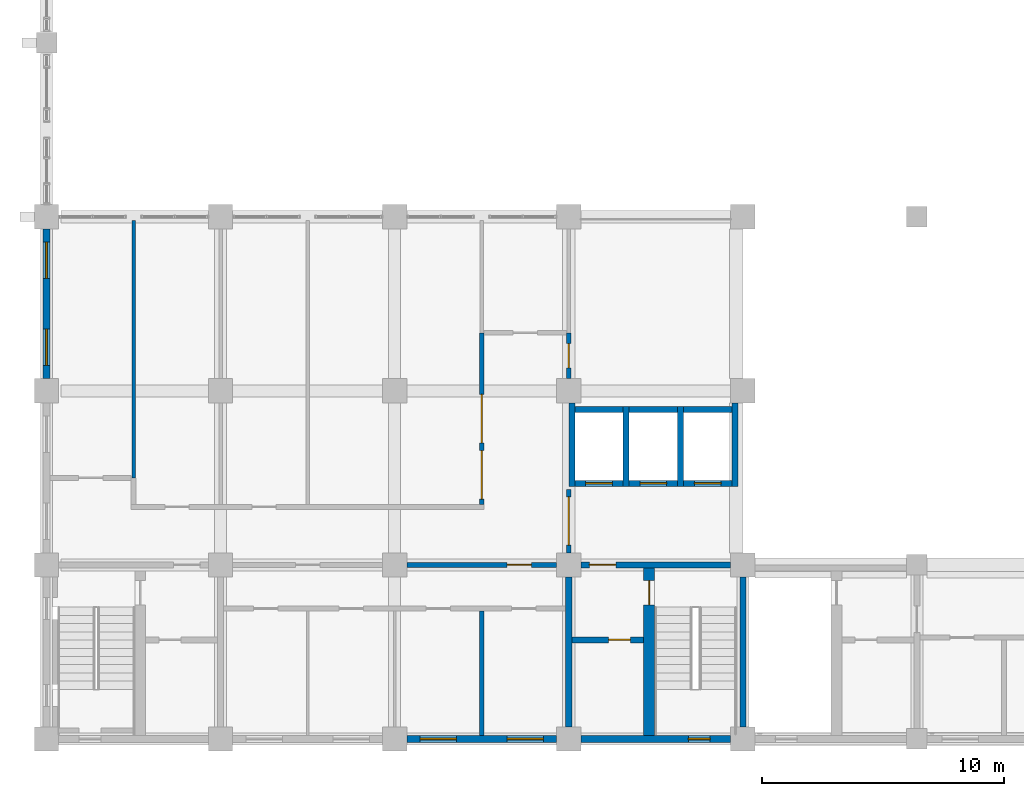
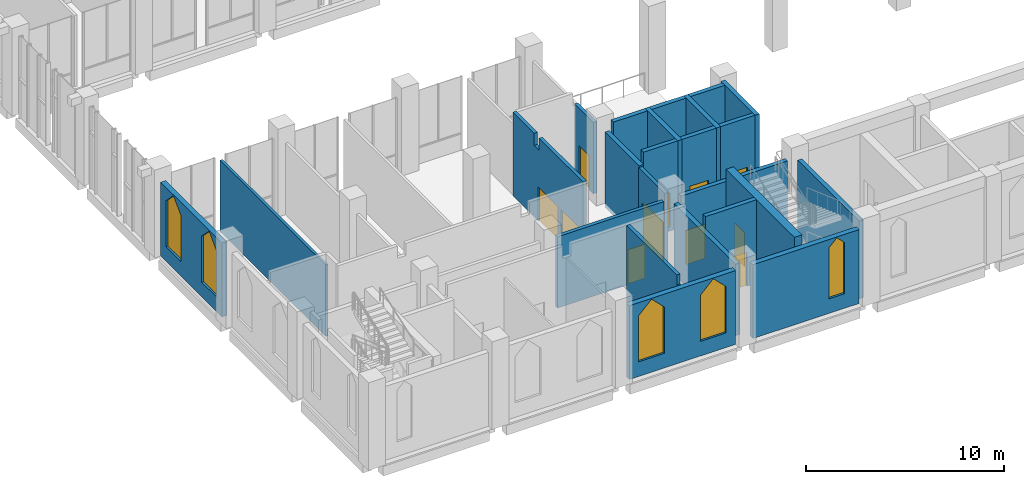
# One storey, part 28 of 48: 24 walls, 11 doors, 5 windows, 16 openings.
"""IFC4 building model written with IfcOpenShell, lengths in metres."""

from ifc_helpers import new_model, si_unit, direction, frame, frame_2d, origin, place, context, subcontext, project, spatial, polyline, rectangle, outline, extrude, material, layer, layer_set, type_object, element, fill, save


model = new_model("IFC4")

# Units and contexts
model_context = context("Model", 3, precision=1e-05, world=origin(), true_north=direction((0.0, 1.0)))
body_context = subcontext(model_context, "Body", "Model", "MODEL_VIEW")
ifc_project = project(units=[si_unit("LENGTHUNIT", "METRE"), si_unit("AREAUNIT", "SQUARE_METRE"), si_unit("VOLUMEUNIT", "CUBIC_METRE"), si_unit("PLANEANGLEUNIT", "RADIAN"), si_unit("MASSUNIT", "GRAM", prefix="KILO")], contexts=[model_context])

# Site, building, storey
site_placement = place(None, origin())
site = spatial("IfcSite", under=ifc_project, at=site_placement, CompositionType="ELEMENT")
building_placement = place(site_placement, origin())
building = spatial("IfcBuilding", under=site, at=building_placement, Name="Silangan Lancet Faculty of Sciences", CompositionType="ELEMENT")
storey_placement = place(building_placement, frame((0.0, 0.0, 6.0)))
storey = spatial("IfcBuildingStorey", under=building, at=storey_placement, Name="L01", CompositionType="ELEMENT", Elevation=6.0)

# Wall, opening, window
ifc_material_1 = material(Name="Concrete C40/50 precast", Category="concrete")
ifc_layer_1 = layer(ifc_material_1, 0.300048828125)
ifc_layer_set_1 = layer_set([ifc_layer_1], Name="Concrete C40/50 precast")
wall_type_1 = type_object("IfcWallType", Name="EW2 Turret enclosure wall", PredefinedType="STANDARD", material=ifc_layer_set_1)
wall_1_placement = place(storey_placement, frame((22.10009765625, 0.0, 0.0), z_axis=(0.0, 0.0, 1.0), x_axis=(1.0, 0.0, 0.0)))
wall_1 = element("IfcWall", 1, at=wall_1_placement, inside=storey, type_object=wall_type_1, Name="EW-L01-S-ST-03", PredefinedType="STANDARD", context=body_context, shape_type="SweptSolid", body=[
    extrude(rectangle(XDim=6.199951171875, YDim=0.300048828125, at=frame_2d((3.10009765625, 0.0))), origin(), (0.0, 0.0, 1.0), 4.550048828125),
])
opening_1_placement = place(wall_1_placement, frame((4.449951171875, 0.0, 0.89990234375)))
opening_1 = element("IfcOpeningElement", 2, at=opening_1_placement, cuts=wall_1, Name="Opening W5", PredefinedType="OPENING", context=body_context, shape_type="SweptSolid", body=[
    extrude(outline(polyline([(0.0, 0.0), (0.89990234375, 0.0), (0.89990234375, 3.150146484375), (0.449951171875, 3.60009765625), (0.0, 3.150146484375), (0.0, 0.0)])), frame((0.0, 0.159912109375, 0.0), z_axis=(0.0, -1.0, 0.0), x_axis=(1.0, 0.0, 0.0)), (0.0, 0.0, 1.0), 0.320068359375),
])
ifc_material_2 = material(Name="Aluminium frame, laminated double glazing", Category="aluminium")
window_type_1 = type_object("IfcWindowType", Name="W5 Lancet window 900 x 3600", PartitioningType="SINGLE_PANEL", PredefinedType="WINDOW", material=ifc_material_2)
window_1_placement = place(opening_1_placement, origin())
window_1 = element("IfcWindow", 3, at=window_1_placement, inside=storey, type_object=window_type_1, Name="WIN-L01-S-ST-03b", OverallHeight=3.60009765625, OverallWidth=0.89990234375, PartitioningType="SINGLE_PANEL", PredefinedType="WINDOW", context=body_context, shape_type="SweptSolid", body=[
    extrude(outline(polyline([(0.0, 0.0), (0.89990234375, 0.0), (0.89990234375, 3.150146484375), (0.449951171875, 3.60009765625), (0.0, 3.150146484375), (0.0, 0.0)])), frame((0.0, 0.030029296875, 0.0), z_axis=(0.0, -1.0, 0.0), x_axis=(1.0, 0.0, 0.0)), (0.0, 0.0, 1.0), 0.06005859375),
])
fill(opening_1, window_1)

# Wall, openings, windows
ifc_material_3 = material(Name="Concrete C40/50", Category="concrete")
ifc_layer_2 = layer(ifc_material_3, 0.300048828125)
ifc_layer_set_2 = layer_set([ifc_layer_2], Name="Concrete C40/50")
wall_type_2 = type_object("IfcWallType", Name="EW6 Stone-faced base wall", PredefinedType="STANDARD", material=ifc_layer_set_2)
wall_2_placement = place(storey_placement, frame((0.0, 14.89990234375, 0.0), z_axis=(0.0, 0.0, 1.0), x_axis=(0.0, 1.0, 0.0)))
wall_2 = element("IfcWall", 4, at=wall_2_placement, inside=storey, type_object=wall_type_2, Name="EW-L01-W-ST-02", PredefinedType="STANDARD", context=body_context, shape_type="SweptSolid", body=[
    extrude(rectangle(XDim=6.2001953125, YDim=0.300048828125, at=frame_2d((3.10009765625, 0.0))), origin(), (0.0, 0.0, 1.0), 4.550048828125),
])
opening_2_placement = place(wall_2_placement, frame((0.550048828125, 0.0, 0.89990234375)))
opening_2 = element("IfcOpeningElement", 5, at=opening_2_placement, cuts=wall_2, Name="Opening W6", PredefinedType="OPENING", context=body_context, shape_type="SweptSolid", body=[
    extrude(outline(polyline([(0.0, 0.0), (1.5, 0.0), (1.5, 2.85009765625), (0.75, 3.60009765625), (0.0, 2.85009765625), (0.0, 0.0)])), frame((0.0, 0.159912109375, 0.0), z_axis=(0.0, -1.0, 0.0), x_axis=(1.0, 0.0, 0.0)), (0.0, 0.0, 1.0), 0.320068359375),
])
opening_3_placement = place(wall_2_placement, frame((4.14990234375, 0.0, 0.89990234375)))
opening_3 = element("IfcOpeningElement", 6, at=opening_3_placement, cuts=wall_2, Name="Opening W6", PredefinedType="OPENING", context=body_context, shape_type="SweptSolid", body=[
    extrude(outline(polyline([(0.0, 0.0), (1.5, 0.0), (1.5, 2.85009765625), (0.75, 3.60009765625), (0.0, 2.85009765625), (0.0, 0.0)])), frame((0.0, 0.159912109375, 0.0), z_axis=(0.0, -1.0, 0.0), x_axis=(1.0, 0.0, 0.0)), (0.0, 0.0, 1.0), 0.320068359375),
])
ifc_material_4 = material(Name="Aluminium frame, laminated double glazing", Category="aluminium")
window_type_2 = type_object("IfcWindowType", Name="W6 Lancet window 1500 x 3600", PartitioningType="SINGLE_PANEL", PredefinedType="WINDOW", material=ifc_material_4)
window_2_placement = place(opening_2_placement, origin())
window_2 = element("IfcWindow", 7, at=window_2_placement, inside=storey, type_object=window_type_2, Name="WIN-L01-W-ST-02a", OverallHeight=3.60009765625, OverallWidth=1.5, PartitioningType="SINGLE_PANEL", PredefinedType="WINDOW", context=body_context, shape_type="SweptSolid", body=[
    extrude(outline(polyline([(0.0, 0.0), (1.5, 0.0), (1.5, 2.85009765625), (0.75, 3.60009765625), (0.0, 2.85009765625), (0.0, 0.0)])), frame((0.0, 0.030029296875, 0.0), z_axis=(0.0, -1.0, 0.0), x_axis=(1.0, 0.0, 0.0)), (0.0, 0.0, 1.0), 0.06005859375),
])
fill(opening_2, window_2)
window_3_placement = place(opening_3_placement, origin())
window_3 = element("IfcWindow", 8, at=window_3_placement, inside=storey, type_object=window_type_2, Name="WIN-L01-W-ST-02b", OverallHeight=3.60009765625, OverallWidth=1.5, PartitioningType="SINGLE_PANEL", PredefinedType="WINDOW", context=body_context, shape_type="SweptSolid", body=[
    extrude(outline(polyline([(0.0, 0.0), (1.5, 0.0), (1.5, 2.85009765625), (0.75, 3.60009765625), (0.0, 2.85009765625), (0.0, 0.0)])), frame((0.0, 0.030029296875, 0.0), z_axis=(0.0, -1.0, 0.0), x_axis=(1.0, 0.0, 0.0)), (0.0, 0.0, 1.0), 0.06005859375),
])
fill(opening_3, window_3)

wall_3_placement = place(storey_placement, frame((14.89990234375, 0.0, 0.0), z_axis=(0.0, 0.0, 1.0), x_axis=(1.0, 0.0, 0.0)))
wall_3 = element("IfcWall", 9, at=wall_3_placement, inside=storey, type_object=wall_type_2, Name="EW-L01-S-ST-02", PredefinedType="STANDARD", context=body_context, shape_type="SweptSolid", body=[
    extrude(rectangle(XDim=6.2001953125, YDim=0.300048828125, at=frame_2d((3.10009765625, 0.0))), origin(), (0.0, 0.0, 1.0), 4.550048828125),
])
opening_4_placement = place(wall_3_placement, frame((0.550048828125, 0.0, 0.89990234375)))
opening_4 = element("IfcOpeningElement", 10, at=opening_4_placement, cuts=wall_3, Name="Opening W6", PredefinedType="OPENING", context=body_context, shape_type="SweptSolid", body=[
    extrude(outline(polyline([(0.0, 0.0), (1.5, 0.0), (1.5, 2.85009765625), (0.75, 3.60009765625), (0.0, 2.85009765625), (0.0, 0.0)])), frame((0.0, 0.159912109375, 0.0), z_axis=(0.0, -1.0, 0.0), x_axis=(1.0, 0.0, 0.0)), (0.0, 0.0, 1.0), 0.320068359375),
])
opening_5_placement = place(wall_3_placement, frame((4.14990234375, 0.0, 0.89990234375)))
opening_5 = element("IfcOpeningElement", 11, at=opening_5_placement, cuts=wall_3, Name="Opening W6", PredefinedType="OPENING", context=body_context, shape_type="SweptSolid", body=[
    extrude(outline(polyline([(0.0, 0.0), (1.5, 0.0), (1.5, 2.85009765625), (0.75, 3.60009765625), (0.0, 2.85009765625), (0.0, 0.0)])), frame((0.0, 0.159912109375, 0.0), z_axis=(0.0, -1.0, 0.0), x_axis=(1.0, 0.0, 0.0)), (0.0, 0.0, 1.0), 0.320068359375),
])
window_4_placement = place(opening_4_placement, origin())
window_4 = element("IfcWindow", 12, at=window_4_placement, inside=storey, type_object=window_type_2, Name="WIN-L01-S-ST-02a", OverallHeight=3.60009765625, OverallWidth=1.5, PartitioningType="SINGLE_PANEL", PredefinedType="WINDOW", context=body_context, shape_type="SweptSolid", body=[
    extrude(outline(polyline([(0.0, 0.0), (1.5, 0.0), (1.5, 2.85009765625), (0.75, 3.60009765625), (0.0, 2.85009765625), (0.0, 0.0)])), frame((0.0, 0.030029296875, 0.0), z_axis=(0.0, -1.0, 0.0), x_axis=(1.0, 0.0, 0.0)), (0.0, 0.0, 1.0), 0.06005859375),
])
fill(opening_4, window_4)
window_5_placement = place(opening_5_placement, origin())
window_5 = element("IfcWindow", 13, at=window_5_placement, inside=storey, type_object=window_type_2, Name="WIN-L01-S-ST-02b", OverallHeight=3.60009765625, OverallWidth=1.5, PartitioningType="SINGLE_PANEL", PredefinedType="WINDOW", context=body_context, shape_type="SweptSolid", body=[
    extrude(outline(polyline([(0.0, 0.0), (1.5, 0.0), (1.5, 2.85009765625), (0.75, 3.60009765625), (0.0, 2.85009765625), (0.0, 0.0)])), frame((0.0, 0.030029296875, 0.0), z_axis=(0.0, -1.0, 0.0), x_axis=(1.0, 0.0, 0.0)), (0.0, 0.0, 1.0), 0.06005859375),
])
fill(opening_5, window_5)

# Wall, opening, door
ifc_material_5 = material(Name="Hollow block masonry fm 7 MPa", Category="masonry")
ifc_layer_3 = layer(ifc_material_5, 0.199951171875)
ifc_layer_set_3 = layer_set([ifc_layer_3], Name="Hollow block masonry fm 7 MPa")
wall_type_3 = type_object("IfcWallType", Name="Interior wall PW1 Corridor wall CHB 200", PredefinedType="PARTITIONING", material=ifc_layer_set_3)
wall_4_placement = place(storey_placement, frame((14.89990234375, 7.199951171875, 0.0), z_axis=(0.0, 0.0, 1.0), x_axis=(1.0, 0.0, 0.0)))
wall_4 = element("IfcWall", 14, at=wall_4_placement, inside=storey, type_object=wall_type_3, Name="Corridor wall CHB 200", PredefinedType="PARTITIONING", context=body_context, shape_type="SweptSolid", body=[
    extrude(rectangle(XDim=6.2001953125, YDim=0.199951171875, at=frame_2d((3.10009765625, 0.0))), origin(), (0.0, 0.0, 1.0), 4.39990234375),
])
opening_6_placement = place(wall_4_placement, frame((4.150146484375, 0.0, 0.0)))
opening_6 = element("IfcOpeningElement", 15, at=opening_6_placement, cuts=wall_4, Name="Opening L01-003", PredefinedType="OPENING", context=body_context, shape_type="SweptSolid", body=[
    extrude(rectangle(XDim=1.0, YDim=2.10009765625, at=frame_2d((0.5, 1.050048828125))), frame((0.0, 0.10986328125, 0.0), z_axis=(0.0, -1.0, 0.0), x_axis=(1.0, 0.0, 0.0)), (0.0, 0.0, 1.0), 0.219970703125),
])
ifc_material_6 = material(Name="Steel fire door set", Category="steel")
door_type_1 = type_object("IfcDoorType", Name="Door D1 Single leaf fire door 1000 x 2100", OperationType="SINGLE_SWING_LEFT", PredefinedType="DOOR", material=ifc_material_6)
door_1_placement = place(opening_6_placement, frame((1.0, 0.0, 0.0), z_axis=(0.0, 0.0, 1.0), x_axis=(-1.0, 0.0, 0.0)))
door_1 = element("IfcDoor", 16, at=door_1_placement, inside=storey, type_object=door_type_1, Name="Single leaf fire door 1000 x 2100", OperationType="SINGLE_SWING_RIGHT", OverallHeight=2.10009765625, OverallWidth=1.0, PredefinedType="DOOR", context=body_context, shape_type="SweptSolid", body=[
    extrude(rectangle(XDim=1.0, YDim=2.10009765625, at=frame_2d((0.5, 1.050048828125))), frame((0.0, 0.025146484375, 0.0), z_axis=(0.0, -1.0, 0.0), x_axis=(1.0, 0.0, 0.0)), (0.0, 0.0, 1.0), 0.050048828125),
])
fill(opening_6, door_1)

# Wall, openings, doors
wall_5_placement = place(storey_placement, frame((18.0, 9.699951171875, 0.0), z_axis=(0.0, 0.0, 1.0), x_axis=(0.0, 1.0, 0.0)))
wall_5 = element("IfcWall", 17, at=wall_5_placement, inside=storey, type_object=wall_type_3, Name="Corridor wall CHB 200", PredefinedType="PARTITIONING", context=body_context, shape_type="SweptSolid", body=[
    extrude(outline(polyline([(0.0, 0.0), (7.10009765625, 0.0), (7.10009765625, 5.14990234375), (4.949951171875, 5.14990234375), (4.949951171875, 4.39990234375), (4.449951171875, 4.39990234375), (4.449951171875, 5.14990234375), (0.0, 5.14990234375), (0.0, 0.0)])), frame((0.0, 0.10009765625, 0.0), z_axis=(0.0, -1.0, 0.0), x_axis=(1.0, 0.0, 0.0)), (0.0, 0.0, 1.0), 0.199951171875),
])
opening_7_placement = place(wall_5_placement, frame((2.550048828125, 0.0, 0.0)))
opening_7 = element("IfcOpeningElement", 18, at=opening_7_placement, cuts=wall_5, Name="Opening L01-018", PredefinedType="OPENING", context=body_context, shape_type="SweptSolid", body=[
    extrude(rectangle(XDim=2.0, YDim=2.10009765625, at=frame_2d((1.0, 1.050048828125))), frame((0.0, 0.10986328125, 0.0), z_axis=(0.0, -1.0, 0.0), x_axis=(1.0, 0.0, 0.0)), (0.0, 0.0, 1.0), 0.219970703125),
])
opening_8_placement = place(wall_5_placement, frame((0.22509765625, 0.0, 0.0)))
opening_8 = element("IfcOpeningElement", 19, at=opening_8_placement, cuts=wall_5, Name="Opening L01-019", PredefinedType="OPENING", context=body_context, shape_type="SweptSolid", body=[
    extrude(rectangle(XDim=2.0, YDim=2.10009765625, at=frame_2d((1.0, 1.050048828125))), frame((0.0, 0.10986328125, 0.0), z_axis=(0.0, -1.0, 0.0), x_axis=(1.0, 0.0, 0.0)), (0.0, 0.0, 1.0), 0.219970703125),
])
ifc_material_7 = material(Name="Steel fire door set", Category="steel")
door_type_2 = type_object("IfcDoorType", Name="Door D4 Double leaf fire door 2000 x 2100", OperationType="DOUBLE_DOOR_SINGLE_SWING", PredefinedType="DOOR", material=ifc_material_7)
door_2_placement = place(opening_7_placement, origin())
door_2 = element("IfcDoor", 20, at=door_2_placement, inside=storey, type_object=door_type_2, Name="Double leaf fire door 2000 x 2100", OperationType="DOUBLE_DOOR_SINGLE_SWING", OverallHeight=2.10009765625, OverallWidth=2.0, PredefinedType="DOOR", context=body_context, shape_type="SweptSolid", body=[
    extrude(rectangle(XDim=2.0, YDim=2.10009765625, at=frame_2d((1.0, 1.050048828125))), frame((0.0, 0.02490234375, 0.0), z_axis=(0.0, -1.0, 0.0), x_axis=(1.0, 0.0, 0.0)), (0.0, 0.0, 1.0), 0.050048828125),
])
fill(opening_7, door_2)
door_3_placement = place(opening_8_placement, origin())
door_3 = element("IfcDoor", 21, at=door_3_placement, inside=storey, type_object=door_type_2, Name="Double leaf fire door 2000 x 2100", OperationType="DOUBLE_DOOR_SINGLE_SWING", OverallHeight=2.10009765625, OverallWidth=2.0, PredefinedType="DOOR", context=body_context, shape_type="SweptSolid", body=[
    extrude(rectangle(XDim=2.0, YDim=2.10009765625, at=frame_2d((1.0, 1.050048828125))), frame((0.0, 0.02490234375, 0.0), z_axis=(0.0, -1.0, 0.0), x_axis=(1.0, 0.0, 0.0)), (0.0, 0.0, 1.0), 0.050048828125),
])
fill(opening_8, door_3)

# Wall, opening, door
wall_6_placement = place(storey_placement, frame((21.60009765625, 14.89990234375, 0.0), z_axis=(0.0, 0.0, 1.0), x_axis=(0.0, 1.0, 0.0)))
wall_6 = element("IfcWall", 22, at=wall_6_placement, inside=storey, type_object=wall_type_3, Name="Corridor wall CHB 200", PredefinedType="PARTITIONING", context=body_context, shape_type="SweptSolid", body=[
    extrude(rectangle(XDim=1.900146484375, YDim=0.199951171875, at=frame_2d((0.9501953125, 0.0))), origin(), (0.0, 0.0, 1.0), 4.39990234375),
])
opening_9_placement = place(wall_6_placement, frame((0.4501953125, 0.0, 0.0)))
opening_9 = element("IfcOpeningElement", 23, at=opening_9_placement, cuts=wall_6, Name="Opening L01-014", PredefinedType="OPENING", context=body_context, shape_type="SweptSolid", body=[
    extrude(rectangle(XDim=1.0, YDim=2.10009765625, at=frame_2d((0.5, 1.050048828125))), frame((0.0, 0.10986328125, 0.0), z_axis=(0.0, -1.0, 0.0), x_axis=(1.0, 0.0, 0.0)), (0.0, 0.0, 1.0), 0.219970703125),
])
door_4_placement = place(opening_9_placement, frame((1.0, 0.0, 0.0), z_axis=(0.0, 0.0, 1.0), x_axis=(-1.0, 0.0, 0.0)))
door_4 = element("IfcDoor", 24, at=door_4_placement, inside=storey, type_object=door_type_1, Name="Single leaf fire door 1000 x 2100", OperationType="SINGLE_SWING_LEFT", OverallHeight=2.10009765625, OverallWidth=1.0, PredefinedType="DOOR", context=body_context, shape_type="SweptSolid", body=[
    extrude(rectangle(XDim=1.0, YDim=2.10009765625, at=frame_2d((0.5, 1.050048828125))), frame((0.0, 0.025146484375, 0.0), z_axis=(0.0, -1.0, 0.0), x_axis=(1.0, 0.0, 0.0)), (0.0, 0.0, 1.0), 0.050048828125),
])
fill(opening_9, door_4)

# Walls
ifc_material_8 = material(Name="Hollow block masonry fm 7 MPa", Category="masonry")
ifc_layer_4 = layer(ifc_material_8, 0.14990234375)
ifc_layer_set_4 = layer_set([ifc_layer_4], Name="Hollow block masonry fm 7 MPa")
wall_type_4 = type_object("IfcWallType", Name="Interior wall PW3 Partition CHB 150", PredefinedType="PARTITIONING", material=ifc_layer_set_4)
wall_7_placement = place(storey_placement, frame((3.60009765625, 10.800048828125, 0.0), z_axis=(0.0, 0.0, 1.0), x_axis=(0.0, 1.0, 0.0)))
element("IfcWall", 25, at=wall_7_placement, inside=storey, type_object=wall_type_4, Name="Partition CHB 150", PredefinedType="PARTITIONING", context=body_context, shape_type="SweptSolid", body=[
    extrude(rectangle(XDim=10.64990234375, YDim=0.14990234375, at=frame_2d((5.324951171875, 0.0))), origin(), (0.0, 0.0, 1.0), 4.39990234375),
])
ifc_material_9 = material(Name="Hollow block masonry fm 7 MPa", Category="masonry")
ifc_layer_5 = layer(ifc_material_9, 0.199951171875)
ifc_layer_set_5 = layer_set([ifc_layer_5], Name="Hollow block masonry fm 7 MPa")
wall_type_5 = type_object("IfcWallType", Name="Interior wall PW4 Laboratory separation CHB 200", PredefinedType="PARTITIONING", material=ifc_layer_set_5)
wall_8_placement = place(storey_placement, frame((18.0, 0.14990234375, 0.0), z_axis=(0.0, 0.0, 1.0), x_axis=(0.0, 1.0, 0.0)))
element("IfcWall", 26, at=wall_8_placement, inside=storey, type_object=wall_type_5, Name="Laboratory separation CHB 200", PredefinedType="PARTITIONING", context=body_context, shape_type="SweptSolid", body=[
    extrude(outline(polyline([(0.0, 0.0), (5.150146484375, 0.0), (5.150146484375, 5.14990234375), (0.10009765625, 5.14990234375), (0.10009765625, 4.550048828125), (0.0, 4.550048828125), (0.0, 0.0)])), frame((0.0, 0.10009765625, 0.0), z_axis=(0.0, -1.0, 0.0), x_axis=(1.0, 0.0, 0.0)), (0.0, 0.0, 1.0), 0.199951171875),
])

# Wall, opening, door
ifc_material_10 = material(Name="Hollow block masonry fm 7 MPa", Category="masonry")
ifc_layer_6 = layer(ifc_material_10, 0.199951171875)
ifc_layer_set_6 = layer_set([ifc_layer_6], Name="Hollow block masonry fm 7 MPa")
wall_type_6 = type_object("IfcWallType", Name="Interior wall PW9 Lift lobby wall CHB 200", PredefinedType="PARTITIONING", material=ifc_layer_set_6)
wall_9_placement = place(storey_placement, frame((21.60009765625, 7.699951171875, 0.0), z_axis=(0.0, 0.0, 1.0), x_axis=(0.0, 1.0, 0.0)))
wall_9 = element("IfcWall", 27, at=wall_9_placement, inside=storey, type_object=wall_type_6, Name="Lift lobby wall CHB 200", PredefinedType="PARTITIONING", context=body_context, shape_type="SweptSolid", body=[
    extrude(rectangle(XDim=2.625, YDim=0.199951171875, at=frame_2d((1.3125, 0.0))), origin(), (0.0, 0.0, 1.0), 4.39990234375),
])
opening_10_placement = place(wall_9_placement, frame((0.3125, 0.0, 0.0)))
opening_10 = element("IfcOpeningElement", 28, at=opening_10_placement, cuts=wall_9, Name="Opening L01-001", PredefinedType="OPENING", context=body_context, shape_type="SweptSolid", body=[
    extrude(rectangle(XDim=2.0, YDim=2.39990234375, at=frame_2d((1.0, 1.199951171875))), frame((0.0, 0.10986328125, 0.0), z_axis=(0.0, -1.0, 0.0), x_axis=(1.0, 0.0, 0.0)), (0.0, 0.0, 1.0), 0.219970703125),
])
ifc_material_11 = material(Name="Steel fire door set", Category="steel")
door_type_3 = type_object("IfcDoorType", Name="Door D5 Lift lobby double fire door 2000 x 2400", OperationType="DOUBLE_DOOR_SINGLE_SWING", PredefinedType="DOOR", material=ifc_material_11)
door_5_placement = place(opening_10_placement, origin())
door_5 = element("IfcDoor", 29, at=door_5_placement, inside=storey, type_object=door_type_3, Name="Lift lobby double fire door 2000 x 2400", OperationType="DOUBLE_DOOR_SINGLE_SWING", OverallHeight=2.39990234375, OverallWidth=2.0, PredefinedType="DOOR", context=body_context, shape_type="SweptSolid", body=[
    extrude(rectangle(XDim=2.0, YDim=2.39990234375, at=frame_2d((1.0, 1.199951171875))), frame((0.0, 0.02490234375, 0.0), z_axis=(0.0, -1.0, 0.0), x_axis=(1.0, 0.0, 0.0)), (0.0, 0.0, 1.0), 0.050048828125),
])
fill(opening_10, door_5)

# Walls
ifc_material_12 = material(Name="Concrete C40/50", Category="concrete")
ifc_layer_7 = layer(ifc_material_12, 0.25)
ifc_layer_set_7 = layer_set([ifc_layer_7], Name="Concrete C40/50")
wall_type_7 = type_object("IfcWallType", Name="LIFT SHAFT WALL RC 250", PredefinedType="SHEAR", material=ifc_layer_set_7)
wall_10_placement = place(storey_placement, frame((21.72509765625, 10.449951171875, -0.25), z_axis=(0.0, 0.0, 1.0), x_axis=(0.0, 1.0, 0.0)))
element("IfcWall", 30, at=wall_10_placement, inside=storey, type_object=wall_type_7, Name="WALL-L01-ST-SW1", PredefinedType="SHEAR", context=body_context, shape_type="SweptSolid", body=[
    extrude(rectangle(XDim=3.449951171875, YDim=0.25, at=frame_2d((1.72509765625, 0.0))), origin(), (0.0, 0.0, 1.0), 4.64990234375),
])
for number, where, z_axis, x_axis, name in (
    (31, (23.97509765625, 10.449951171875, -0.25), (0.0, 0.0, 1.0), (0.0, 1.0, 0.0), "WALL-L01-ST-SW2"),
    (32, (26.22509765625, 10.449951171875, -0.25), (0.0, 0.0, 1.0), (0.0, 1.0, 0.0), "WALL-L01-ST-SW3"),
):
    element("IfcWall", number, at=place(storey_placement, frame(where, z_axis=z_axis, x_axis=x_axis)), inside=storey, type_object=wall_type_7, Name=name, PredefinedType="SHEAR", context=body_context, shape_type="SweptSolid", body=[
        extrude(rectangle(XDim=3.300048828125, YDim=0.25, at=frame_2d((1.64990234375, 0.0))), origin(), (0.0, 0.0, 1.0), 5.39990234375),
    ])
wall_11_placement = place(storey_placement, frame((28.47509765625, 10.449951171875, -0.25), z_axis=(0.0, 0.0, 1.0), x_axis=(0.0, 1.0, 0.0)))
element("IfcWall", 33, at=wall_11_placement, inside=storey, type_object=wall_type_7, Name="WALL-L01-ST-SW4", PredefinedType="SHEAR", context=body_context, shape_type="SweptSolid", body=[
    extrude(rectangle(XDim=3.449951171875, YDim=0.25, at=frame_2d((1.72509765625, 0.0))), origin(), (0.0, 0.0, 1.0), 5.39990234375),
])

# Wall, opening, door
wall_12_placement = place(storey_placement, frame((21.85009765625, 10.574951171875, -0.25), z_axis=(0.0, 0.0, 1.0), x_axis=(1.0, 0.0, 0.0)))
wall_12 = element("IfcWall", 34, at=wall_12_placement, inside=storey, type_object=wall_type_7, Name="WALL-L01-ST-L1-F", PredefinedType="SHEAR", context=body_context, shape_type="SweptSolid", body=[
    extrude(rectangle(XDim=2.0, YDim=0.25, at=frame_2d((1.0, 0.0))), origin(), (0.0, 0.0, 1.0), 5.39990234375),
])
opening_11_placement = place(wall_12_placement, frame((0.449951171875, 0.0, 0.25)))
opening_11 = element("IfcOpeningElement", 35, at=opening_11_placement, cuts=wall_12, Name="Opening L01-807", PredefinedType="OPENING", context=body_context, shape_type="SweptSolid", body=[
    extrude(rectangle(XDim=1.10009765625, YDim=2.10009765625, at=frame_2d((0.550048828125, 1.050048828125))), frame((0.0, 0.135009765625, 0.0), z_axis=(0.0, -1.0, 0.0), x_axis=(1.0, 0.0, 0.0)), (0.0, 0.0, 1.0), 0.27001953125),
])
ifc_material_13 = material(Name="Stainless steel sliding door", Category="steel")
door_type_4 = type_object("IfcDoorType", Name="LD1 Lift landing door 1100x2100", OperationType="SLIDING_TO_LEFT", PredefinedType="DOOR", material=ifc_material_13)
door_6_placement = place(opening_11_placement, origin())
door_6 = element("IfcDoor", 36, at=door_6_placement, inside=storey, type_object=door_type_4, Name="Landing door ST-L1 L01", OperationType="SLIDING_TO_LEFT", OverallHeight=2.10009765625, OverallWidth=1.10009765625, PredefinedType="DOOR", context=body_context, shape_type="SweptSolid", body=[
    extrude(rectangle(XDim=1.10009765625, YDim=2.10009765625, at=frame_2d((0.550048828125, 1.050048828125))), frame((0.0, 0.02490234375, 0.0), z_axis=(0.0, -1.0, 0.0), x_axis=(1.0, 0.0, 0.0)), (0.0, 0.0, 1.0), 0.050048828125),
])
fill(opening_11, door_6)

# Wall
wall_13_placement = place(storey_placement, frame((21.85009765625, 13.625, -0.25), z_axis=(0.0, 0.0, 1.0), x_axis=(1.0, 0.0, 0.0)))
element("IfcWall", 37, at=wall_13_placement, inside=storey, type_object=wall_type_7, Name="WALL-L01-ST-L1-B", PredefinedType="SHEAR", context=body_context, shape_type="SweptSolid", body=[
    extrude(rectangle(XDim=2.0, YDim=0.25, at=frame_2d((1.0, 0.0))), origin(), (0.0, 0.0, 1.0), 5.39990234375),
])

# Wall, opening, door
wall_14_placement = place(storey_placement, frame((24.10009765625, 10.574951171875, -0.25), z_axis=(0.0, 0.0, 1.0), x_axis=(1.0, 0.0, 0.0)))
wall_14 = element("IfcWall", 38, at=wall_14_placement, inside=storey, type_object=wall_type_7, Name="WALL-L01-ST-L2-F", PredefinedType="SHEAR", context=body_context, shape_type="SweptSolid", body=[
    extrude(rectangle(XDim=2.0, YDim=0.25, at=frame_2d((1.0, 0.0))), origin(), (0.0, 0.0, 1.0), 5.39990234375),
])
opening_12_placement = place(wall_14_placement, frame((0.449951171875, 0.0, 0.25)))
opening_12 = element("IfcOpeningElement", 39, at=opening_12_placement, cuts=wall_14, Name="Opening L01-808", PredefinedType="OPENING", context=body_context, shape_type="SweptSolid", body=[
    extrude(rectangle(XDim=1.10009765625, YDim=2.10009765625, at=frame_2d((0.550048828125, 1.050048828125))), frame((0.0, 0.135009765625, 0.0), z_axis=(0.0, -1.0, 0.0), x_axis=(1.0, 0.0, 0.0)), (0.0, 0.0, 1.0), 0.27001953125),
])
door_7_placement = place(opening_12_placement, origin())
door_7 = element("IfcDoor", 40, at=door_7_placement, inside=storey, type_object=door_type_4, Name="Landing door ST-L2 L01", OperationType="SLIDING_TO_LEFT", OverallHeight=2.10009765625, OverallWidth=1.10009765625, PredefinedType="DOOR", context=body_context, shape_type="SweptSolid", body=[
    extrude(rectangle(XDim=1.10009765625, YDim=2.10009765625, at=frame_2d((0.550048828125, 1.050048828125))), frame((0.0, 0.02490234375, 0.0), z_axis=(0.0, -1.0, 0.0), x_axis=(1.0, 0.0, 0.0)), (0.0, 0.0, 1.0), 0.050048828125),
])
fill(opening_12, door_7)

# Wall
wall_15_placement = place(storey_placement, frame((24.10009765625, 13.625, -0.25), z_axis=(0.0, 0.0, 1.0), x_axis=(1.0, 0.0, 0.0)))
element("IfcWall", 41, at=wall_15_placement, inside=storey, type_object=wall_type_7, Name="WALL-L01-ST-L2-B", PredefinedType="SHEAR", context=body_context, shape_type="SweptSolid", body=[
    extrude(rectangle(XDim=2.0, YDim=0.25, at=frame_2d((1.0, 0.0))), origin(), (0.0, 0.0, 1.0), 5.39990234375),
])

# Wall, opening, door
wall_16_placement = place(storey_placement, frame((26.35009765625, 10.574951171875, -0.25), z_axis=(0.0, 0.0, 1.0), x_axis=(1.0, 0.0, 0.0)))
wall_16 = element("IfcWall", 42, at=wall_16_placement, inside=storey, type_object=wall_type_7, Name="WALL-L01-ST-L3-F", PredefinedType="SHEAR", context=body_context, shape_type="SweptSolid", body=[
    extrude(rectangle(XDim=2.0, YDim=0.25, at=frame_2d((1.0, 0.0))), origin(), (0.0, 0.0, 1.0), 5.39990234375),
])
opening_13_placement = place(wall_16_placement, frame((0.449951171875, 0.0, 0.25)))
opening_13 = element("IfcOpeningElement", 43, at=opening_13_placement, cuts=wall_16, Name="Opening L01-809", PredefinedType="OPENING", context=body_context, shape_type="SweptSolid", body=[
    extrude(rectangle(XDim=1.10009765625, YDim=2.10009765625, at=frame_2d((0.550048828125, 1.050048828125))), frame((0.0, 0.135009765625, 0.0), z_axis=(0.0, -1.0, 0.0), x_axis=(1.0, 0.0, 0.0)), (0.0, 0.0, 1.0), 0.27001953125),
])
door_8_placement = place(opening_13_placement, origin())
door_8 = element("IfcDoor", 44, at=door_8_placement, inside=storey, type_object=door_type_4, Name="Landing door ST-L3 L01", OperationType="SLIDING_TO_LEFT", OverallHeight=2.10009765625, OverallWidth=1.10009765625, PredefinedType="DOOR", context=body_context, shape_type="SweptSolid", body=[
    extrude(rectangle(XDim=1.10009765625, YDim=2.10009765625, at=frame_2d((0.550048828125, 1.050048828125))), frame((0.0, 0.02490234375, 0.0), z_axis=(0.0, -1.0, 0.0), x_axis=(1.0, 0.0, 0.0)), (0.0, 0.0, 1.0), 0.050048828125),
])
fill(opening_13, door_8)

# Wall
wall_17_placement = place(storey_placement, frame((26.35009765625, 13.625, -0.25), z_axis=(0.0, 0.0, 1.0), x_axis=(1.0, 0.0, 0.0)))
element("IfcWall", 45, at=wall_17_placement, inside=storey, type_object=wall_type_7, Name="WALL-L01-ST-L3-B", PredefinedType="SHEAR", context=body_context, shape_type="SweptSolid", body=[
    extrude(rectangle(XDim=2.0, YDim=0.25, at=frame_2d((1.0, 0.0))), origin(), (0.0, 0.0, 1.0), 5.39990234375),
])

# Wall, opening, door
ifc_material_14 = material(Name="Concrete C40/50", Category="concrete")
ifc_layer_8 = layer(ifc_material_14, 0.449951171875)
ifc_layer_set_8 = layer_set([ifc_layer_8], Name="Concrete C40/50")
wall_type_8 = type_object("IfcWallType", Name="TURRET CORE WALL RC 450", PredefinedType="SHEAR", material=ifc_layer_set_8)
wall_18_placement = place(storey_placement, frame((24.925048828125, 0.14990234375, 0.0), z_axis=(0.0, 0.0, 1.0), x_axis=(0.0, 1.0, 0.0)))
wall_18 = element("IfcWall", 46, at=wall_18_placement, inside=storey, type_object=wall_type_8, Name="WALL-L01-ST-B-WELL", PredefinedType="SHEAR", context=body_context, shape_type="SweptSolid", body=[
    extrude(rectangle(XDim=6.925048828125, YDim=0.449951171875, at=frame_2d((3.46240234375, 0.0))), origin(), (0.0, 0.0, 1.0), 5.14990234375),
])
opening_14_placement = place(wall_18_placement, frame((5.39990234375, 0.0, 0.0)))
opening_14 = element("IfcOpeningElement", 47, at=opening_14_placement, cuts=wall_18, Name="Opening L01-728", PredefinedType="OPENING", context=body_context, shape_type="SweptSolid", body=[
    extrude(rectangle(XDim=1.0, YDim=2.10009765625, at=frame_2d((0.5, 1.050048828125))), frame((0.0, 0.23486328125, 0.0), z_axis=(0.0, -1.0, 0.0), x_axis=(1.0, 0.0, 0.0)), (0.0, 0.0, 1.0), 0.469970703125),
])
ifc_material_15 = material(Name="Steel fire door set", Category="steel")
door_type_5 = type_object("IfcDoorType", Name="D71 Stair enclosure door 1000x2100", OperationType="SINGLE_SWING_LEFT", PredefinedType="DOOR", material=ifc_material_15)
door_9_placement = place(opening_14_placement, frame((1.0, 0.0, 0.0), z_axis=(0.0, 0.0, 1.0), x_axis=(-1.0, 0.0, 0.0)))
door_9 = element("IfcDoor", 48, at=door_9_placement, inside=storey, type_object=door_type_5, Name="Stair enclosure door ST-B L01", OperationType="SINGLE_SWING_LEFT", OverallHeight=2.10009765625, OverallWidth=1.0, PredefinedType="DOOR", context=body_context, shape_type="SweptSolid", body=[
    extrude(rectangle(XDim=1.0, YDim=2.10009765625, at=frame_2d((0.5, 1.050048828125))), frame((0.0, 0.025146484375, 0.0), z_axis=(0.0, -1.0, 0.0), x_axis=(1.0, 0.0, 0.0)), (0.0, 0.0, 1.0), 0.050048828125),
])
fill(opening_14, door_9)

# Wall
ifc_material_16 = material(Name="Concrete C40/50", Category="concrete")
ifc_layer_9 = layer(ifc_material_16, 0.25)
ifc_layer_set_9 = layer_set([ifc_layer_9], Name="Concrete C40/50")
wall_type_9 = type_object("IfcWallType", Name="TURRET WALL RC 250", PredefinedType="SHEAR", material=ifc_layer_set_9)
wall_19_placement = place(storey_placement, frame((28.800048828125, 0.5, -0.25), z_axis=(0.0, 0.0, 1.0), x_axis=(0.0, 1.0, 0.0)))
element("IfcWall", 49, at=wall_19_placement, inside=storey, type_object=wall_type_9, Name="WALL-L01-SAB-A-W", PredefinedType="SHEAR", context=body_context, shape_type="SweptSolid", body=[
    extrude(rectangle(XDim=6.199951171875, YDim=0.25, at=frame_2d((3.10009765625, 0.0))), origin(), (0.0, 0.0, 1.0), 4.800048828125),
])

# Wall, opening, door
wall_20_placement = place(storey_placement, frame((22.10009765625, 7.199951171875, 0.0), z_axis=(0.0, 0.0, 1.0), x_axis=(1.0, 0.0, 0.0)))
wall_20 = element("IfcWall", 50, at=wall_20_placement, inside=storey, type_object=wall_type_9, Name="WALL-L01-ST-B-V", PredefinedType="SHEAR", context=body_context, shape_type="SweptSolid", body=[
    extrude(rectangle(XDim=6.199951171875, YDim=0.25, at=frame_2d((3.10009765625, 0.0))), origin(), (0.0, 0.0, 1.0), 4.39990234375),
])
opening_15_placement = place(wall_20_placement, frame((0.35009765625, 0.0, 0.0)))
opening_15 = element("IfcOpeningElement", 51, at=opening_15_placement, cuts=wall_20, Name="Opening L01-729", PredefinedType="OPENING", context=body_context, shape_type="SweptSolid", body=[
    extrude(rectangle(XDim=1.10009765625, YDim=2.10009765625, at=frame_2d((0.550048828125, 1.050048828125))), frame((0.0, 0.135009765625, 0.0), z_axis=(0.0, -1.0, 0.0), x_axis=(1.0, 0.0, 0.0)), (0.0, 0.0, 1.0), 0.27001953125),
])
ifc_material_17 = material(Name="Steel fire door set", Category="steel")
door_type_6 = type_object("IfcDoorType", Name="D70 Stair vestibule door 1100x2100", OperationType="SINGLE_SWING_LEFT", PredefinedType="DOOR", material=ifc_material_17)
door_10_placement = place(opening_15_placement, frame((1.10009765625, 0.0, 0.0), z_axis=(0.0, 0.0, 1.0), x_axis=(-1.0, 0.0, 0.0)))
door_10 = element("IfcDoor", 52, at=door_10_placement, inside=storey, type_object=door_type_6, Name="Stair vestibule door ST-B L01", OperationType="SINGLE_SWING_RIGHT", OverallHeight=2.10009765625, OverallWidth=1.10009765625, PredefinedType="DOOR", context=body_context, shape_type="SweptSolid", body=[
    extrude(rectangle(XDim=1.10009765625, YDim=2.10009765625, at=frame_2d((0.550048828125, 1.050048828125))), frame((0.0, 0.025146484375, 0.0), z_axis=(0.0, -1.0, 0.0), x_axis=(1.0, 0.0, 0.0)), (0.0, 0.0, 1.0), 0.050048828125),
])
fill(opening_15, door_10)

# Wall
wall_21_placement = place(storey_placement, frame((21.60009765625, 0.5, 0.0), z_axis=(0.0, 0.0, 1.0), x_axis=(0.0, 1.0, 0.0)))
element("IfcWall", 53, at=wall_21_placement, inside=storey, type_object=wall_type_9, Name="WALL-L01-ST-B-O", PredefinedType="SHEAR", context=body_context, shape_type="SweptSolid", body=[
    extrude(rectangle(XDim=6.199951171875, YDim=0.25, at=frame_2d((3.10009765625, 0.0))), origin(), (0.0, 0.0, 1.0), 4.39990234375),
])

# Wall, opening, door
wall_22_placement = place(storey_placement, frame((21.72509765625, 4.10009765625, 0.0), z_axis=(0.0, 0.0, 1.0), x_axis=(1.0, 0.0, 0.0)))
wall_22 = element("IfcWall", 54, at=wall_22_placement, inside=storey, type_object=wall_type_9, Name="WALL-L01-ST-B-RISER", PredefinedType="SHEAR", context=body_context, shape_type="SweptSolid", body=[
    extrude(rectangle(XDim=2.974853515625, YDim=0.25, at=frame_2d((1.4873046875, 0.0))), origin(), (0.0, 0.0, 1.0), 5.14990234375),
])
opening_16_placement = place(wall_22_placement, frame((1.52490234375, 0.0, 0.0)))
opening_16 = element("IfcOpeningElement", 55, at=opening_16_placement, cuts=wall_22, Name="Opening L01-730", PredefinedType="OPENING", context=body_context, shape_type="SweptSolid", body=[
    extrude(rectangle(XDim=0.89990234375, YDim=2.10009765625, at=frame_2d((0.449951171875, 1.050048828125))), frame((0.0, 0.135009765625, 0.0), z_axis=(0.0, -1.0, 0.0), x_axis=(1.0, 0.0, 0.0)), (0.0, 0.0, 1.0), 0.27001953125),
])
ifc_material_18 = material(Name="Steel fire door set", Category="steel")
door_type_7 = type_object("IfcDoorType", Name="D72 Riser access door 900x2100", OperationType="SINGLE_SWING_LEFT", PredefinedType="DOOR", material=ifc_material_18)
door_11_placement = place(opening_16_placement, frame((0.89990234375, 0.0, 0.0), z_axis=(0.0, 0.0, 1.0), x_axis=(-1.0, 0.0, 0.0)))
door_11 = element("IfcDoor", 56, at=door_11_placement, inside=storey, type_object=door_type_7, Name="Riser access door ST-B L01", OperationType="SINGLE_SWING_RIGHT", OverallHeight=2.10009765625, OverallWidth=0.89990234375, PredefinedType="DOOR", context=body_context, shape_type="SweptSolid", body=[
    extrude(rectangle(XDim=0.89990234375, YDim=2.10009765625, at=frame_2d((0.449951171875, 1.050048828125))), frame((0.0, 0.025146484375, 0.0), z_axis=(0.0, -1.0, 0.0), x_axis=(1.0, 0.0, 0.0)), (0.0, 0.0, 1.0), 0.050048828125),
])
fill(opening_16, door_11)

save(model, "model.ifc")
